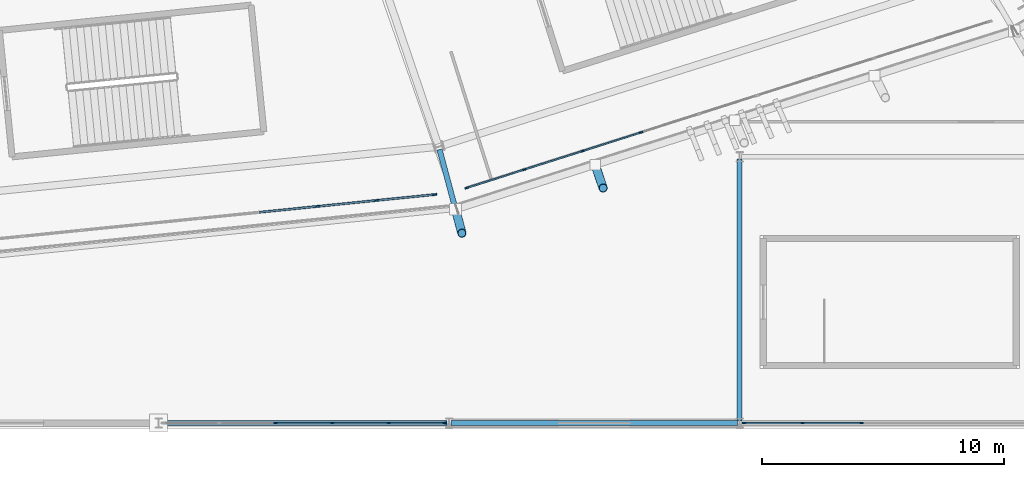
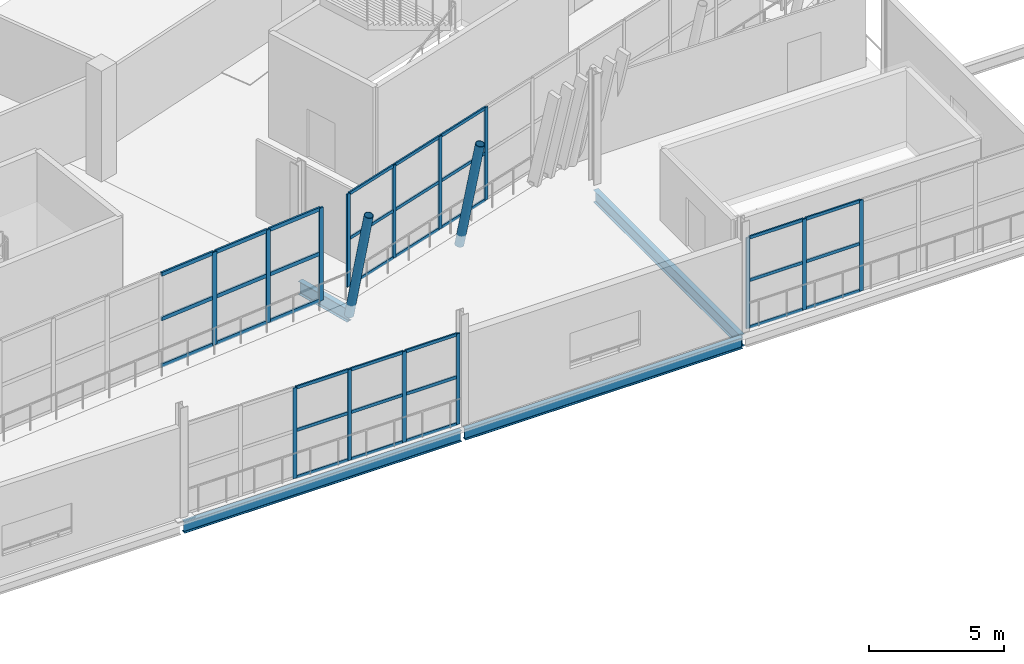
# One storey, part 49 of 179: 49 members, 4 beams, 4 elements without a shape of their own.
"""IFC4 building model written with IfcOpenShell, lengths in metres."""

from ifc_helpers import new_model, si_unit, direction, frame, origin, origin_2d, place, context, subcontext, project, spatial, rectangle, hollow_circle, i_section, extrude, material, material_profile, profile_set, type_object, element, aggregate, save


model = new_model("IFC4")

# Units and contexts
model_context = context("Model", 3, precision=1e-05, world=origin(), true_north=direction((0.0, 1.0)))
body_context = subcontext(model_context, "Body", "Model", "MODEL_VIEW")
ifc_project = project(units=[si_unit("LENGTHUNIT", "METRE"), si_unit("AREAUNIT", "SQUARE_METRE"), si_unit("VOLUMEUNIT", "CUBIC_METRE"), si_unit("PLANEANGLEUNIT", "RADIAN"), si_unit("MASSUNIT", "GRAM", prefix="KILO")], contexts=[model_context])

# Site, building, storey
site_placement = place(None, origin())
site = spatial("IfcSite", under=ifc_project, at=site_placement, CompositionType="ELEMENT")
building_placement = place(site_placement, origin())
building = spatial("IfcBuilding", under=site, at=building_placement, Name="Zlatoyarsky Gate Stadium", CompositionType="ELEMENT")
storey_placement = place(building_placement, frame((0.0, 0.0, 10.60009765625)))
storey = spatial("IfcBuildingStorey", under=building, at=storey_placement, Name="L02", CompositionType="ELEMENT", Elevation=10.60009765625)

# Curtain wall, members
ifc_material_1 = material(Name="Thermally broken anodised aluminium curtain wall", Category="aluminium")
curtain_wall_type_1 = type_object("IfcCurtainWallType", Name="MONUMENTAL ARCHED GATE GLAZING UPPER", PredefinedType="USERDEFINED", material=ifc_material_1)
curtain_wall_1_placement = place(storey_placement, origin())
curtain_wall_1 = element("IfcCurtainWall", 1, at=curtain_wall_1_placement, inside=storey, type_object=curtain_wall_type_1, Name="Curtain wall CW-L02-18", ObjectType="ARCHED GATE GLAZING", PredefinedType="USERDEFINED")
ifc_material_2 = material(Name="Anodised aluminium 6063-T6", Category="aluminium")
ifc_material_profile_1 = material_profile(ifc_material_2, rectangle(XDim=0.074951171875, YDim=0.18994140625, at=origin_2d()), Name="ALU 75X190")
ifc_profile_set_1 = profile_set([ifc_material_profile_1], Name="Anodised aluminium 6063-T6")
member_type_1 = type_object("IfcMemberType", Name="ALUMINIUM GATE MULLION 75X190", PredefinedType="MULLION", material=ifc_profile_set_1)
member_1_placement = place(storey_placement, frame((130.05810546875, 8.951904296875, 0.0), z_axis=(0.0, 0.0, 1.0), x_axis=(-0.100642363208, 0.994922667712, 0.0)))
member_1 = element("IfcMember", 2, at=member_1_placement, type_object=member_type_1, Name="CW-AG2 mullion 7", PredefinedType="MULLION", context=body_context, shape_type="SweptSolid", body=[
    extrude(rectangle(XDim=0.074951171875, YDim=0.18994140625, at=origin_2d()), origin(), (0.0, 0.0, 1.0), 4.199951171875),
])
member_2_placement = place(storey_placement, frame((132.49658203125, 9.19873046875, 0.0), z_axis=(0.0, 0.0, 1.0), x_axis=(-0.100642363208, 0.994922667712, 0.0)))
member_2 = element("IfcMember", 3, at=member_2_placement, type_object=member_type_1, Name="CW-AG2 mullion 8", PredefinedType="MULLION", context=body_context, shape_type="SweptSolid", body=[
    extrude(rectangle(XDim=0.074951171875, YDim=0.18994140625, at=origin_2d()), origin(), (0.0, 0.0, 1.0), 4.199951171875),
])
member_3_placement = place(storey_placement, frame((134.897705078125, 9.44140625, 0.0), z_axis=(0.0, 0.0, 1.0), x_axis=(-0.100642363208, 0.994922667712, 0.0)))
member_3 = element("IfcMember", 4, at=member_3_placement, type_object=member_type_1, Name="CW-AG2 mullion 9", PredefinedType="MULLION", context=body_context, shape_type="SweptSolid", body=[
    extrude(rectangle(XDim=0.074951171875, YDim=0.18994140625, at=origin_2d()), origin(), (0.0, 0.0, 1.0), 4.199951171875),
])
ifc_material_profile_2 = material_profile(ifc_material_2, rectangle(XDim=0.074951171875, YDim=0.169921875, at=origin_2d()), Name="ALU 75X170")
ifc_profile_set_2 = profile_set([ifc_material_profile_2], Name="Anodised aluminium 6063-T6")
member_type_2 = type_object("IfcMemberType", Name="ALUMINIUM GATE TRANSOM 75X170", PredefinedType="USERDEFINED", material=ifc_profile_set_2)
member_4_placement = place(storey_placement, frame((127.656982421875, 8.708984375, 0.037353515625), z_axis=(0.994916410424, 0.10070420184, 0.0), x_axis=(-0.10070420184, 0.994916410424, 0.0)))
member_4 = element("IfcMember", 5, at=member_4_placement, type_object=member_type_2, Name="CW-AG2 transom 6.1", ObjectType="TRANSOM", PredefinedType="USERDEFINED", context=body_context, shape_type="SweptSolid", body=[
    extrude(rectangle(XDim=0.074951171875, YDim=0.169921875, at=origin_2d()), origin(), (0.0, 0.0, 1.0), 2.375732421875),
])
member_5_placement = place(storey_placement, frame((127.656982421875, 8.708984375, 2.14990234375), z_axis=(0.994916410424, 0.10070420184, 0.0), x_axis=(-0.10070420184, 0.994916410424, 0.0)))
member_5 = element("IfcMember", 6, at=member_5_placement, type_object=member_type_2, Name="CW-AG2 transom 6.2", ObjectType="TRANSOM", PredefinedType="USERDEFINED", context=body_context, shape_type="SweptSolid", body=[
    extrude(rectangle(XDim=0.074951171875, YDim=0.169921875, at=origin_2d()), origin(), (0.0, 0.0, 1.0), 2.375732421875),
])
member_6_placement = place(storey_placement, frame((127.656982421875, 8.708984375, 4.162353515625), z_axis=(0.994916410424, 0.10070420184, 0.0), x_axis=(-0.10070420184, 0.994916410424, 0.0)))
member_6 = element("IfcMember", 7, at=member_6_placement, type_object=member_type_2, Name="CW-AG2 transom 6.3", ObjectType="TRANSOM", PredefinedType="USERDEFINED", context=body_context, shape_type="SweptSolid", body=[
    extrude(rectangle(XDim=0.074951171875, YDim=0.169921875, at=origin_2d()), origin(), (0.0, 0.0, 1.0), 2.375732421875),
])
member_7_placement = place(storey_placement, frame((130.09521484375, 8.955810546875, 0.037353515625), z_axis=(0.994927740892, 0.100592198527, 0.0), x_axis=(-0.100592198527, 0.994927740892, 0.0)))
member_7 = element("IfcMember", 8, at=member_7_placement, type_object=member_type_2, Name="CW-AG2 transom 7.1", ObjectType="TRANSOM", PredefinedType="USERDEFINED", context=body_context, shape_type="SweptSolid", body=[
    extrude(rectangle(XDim=0.074951171875, YDim=0.169921875, at=origin_2d()), origin(), (0.0, 0.0, 1.0), 2.3759765625),
])
member_8_placement = place(storey_placement, frame((130.09521484375, 8.955810546875, 2.14990234375), z_axis=(0.994927740892, 0.100592198527, 0.0), x_axis=(-0.100592198527, 0.994927740892, 0.0)))
member_8 = element("IfcMember", 9, at=member_8_placement, type_object=member_type_2, Name="CW-AG2 transom 7.2", ObjectType="TRANSOM", PredefinedType="USERDEFINED", context=body_context, shape_type="SweptSolid", body=[
    extrude(rectangle(XDim=0.074951171875, YDim=0.169921875, at=origin_2d()), origin(), (0.0, 0.0, 1.0), 2.3759765625),
])
member_9_placement = place(storey_placement, frame((130.09521484375, 8.955810546875, 4.162353515625), z_axis=(0.994927740892, 0.100592198527, 0.0), x_axis=(-0.100592198527, 0.994927740892, 0.0)))
member_9 = element("IfcMember", 10, at=member_9_placement, type_object=member_type_2, Name="CW-AG2 transom 7.3", ObjectType="TRANSOM", PredefinedType="USERDEFINED", context=body_context, shape_type="SweptSolid", body=[
    extrude(rectangle(XDim=0.074951171875, YDim=0.169921875, at=origin_2d()), origin(), (0.0, 0.0, 1.0), 2.3759765625),
])
member_10_placement = place(storey_placement, frame((132.53369140625, 9.202392578125, 0.037353515625), z_axis=(0.994922838656, 0.100640673291, 0.0), x_axis=(-0.100640673291, 0.994922838656, 0.0)))
member_10 = element("IfcMember", 11, at=member_10_placement, type_object=member_type_2, Name="CW-AG2 transom 8.1", ObjectType="TRANSOM", PredefinedType="USERDEFINED", context=body_context, shape_type="SweptSolid", body=[
    extrude(rectangle(XDim=0.074951171875, YDim=0.169921875, at=origin_2d()), origin(), (0.0, 0.0, 1.0), 2.338623046875),
])
member_11_placement = place(storey_placement, frame((132.53369140625, 9.202392578125, 2.14990234375), z_axis=(0.994922838656, 0.100640673291, 0.0), x_axis=(-0.100640673291, 0.994922838656, 0.0)))
member_11 = element("IfcMember", 12, at=member_11_placement, type_object=member_type_2, Name="CW-AG2 transom 8.2", ObjectType="TRANSOM", PredefinedType="USERDEFINED", context=body_context, shape_type="SweptSolid", body=[
    extrude(rectangle(XDim=0.074951171875, YDim=0.169921875, at=origin_2d()), origin(), (0.0, 0.0, 1.0), 2.338623046875),
])
member_12_placement = place(storey_placement, frame((132.53369140625, 9.202392578125, 4.162353515625), z_axis=(0.994922838656, 0.100640673291, 0.0), x_axis=(-0.100640673291, 0.994922838656, 0.0)))
member_12 = element("IfcMember", 13, at=member_12_placement, type_object=member_type_2, Name="CW-AG2 transom 8.3", ObjectType="TRANSOM", PredefinedType="USERDEFINED", context=body_context, shape_type="SweptSolid", body=[
    extrude(rectangle(XDim=0.074951171875, YDim=0.169921875, at=origin_2d()), origin(), (0.0, 0.0, 1.0), 2.338623046875),
])
aggregate(curtain_wall_1, [member_1, member_2, member_3, member_4, member_5, member_6, member_7, member_8, member_9, member_10, member_11, member_12])

curtain_wall_type_2 = type_object("IfcCurtainWallType", Name="UNITISED HOSPITALITY GLAZING L02", PredefinedType="USERDEFINED", material=ifc_material_1)
curtain_wall_2_placement = place(storey_placement, origin())
curtain_wall_2 = element("IfcCurtainWall", 14, at=curtain_wall_2_placement, inside=storey, type_object=curtain_wall_type_2, Name="Curtain wall CW-L02-19", ObjectType="UNITISED GLAZING", PredefinedType="USERDEFINED")
ifc_material_profile_3 = material_profile(ifc_material_2, rectangle(XDim=0.06494140625, YDim=0.159912109375, at=origin_2d()), Name="ALU 65X160")
ifc_profile_set_3 = profile_set([ifc_material_profile_3], Name="Anodised aluminium 6063-T6")
member_type_3 = type_object("IfcMemberType", Name="ALUMINIUM MULLION 65X160", PredefinedType="MULLION", material=ifc_profile_set_3)
member_13_placement = place(storey_placement, frame((136.23193359375, 9.7177734375, 0.0), z_axis=(0.0, 0.0, 1.0), x_axis=(-0.303278080998, 0.952902096538, 0.0)))
member_13 = element("IfcMember", 15, at=member_13_placement, type_object=member_type_3, Name="CW-UG2 mullion 1", PredefinedType="MULLION", context=body_context, shape_type="SweptSolid", body=[
    extrude(rectangle(XDim=0.06494140625, YDim=0.159912109375, at=origin_2d()), origin(), (0.0, 0.0, 1.0), 4.199951171875),
])
member_14_placement = place(storey_placement, frame((138.6083984375, 10.47412109375, 0.0), z_axis=(0.0, 0.0, 1.0), x_axis=(-0.303278080998, 0.952902096538, 0.0)))
member_14 = element("IfcMember", 16, at=member_14_placement, type_object=member_type_3, Name="CW-UG2 mullion 2", PredefinedType="MULLION", context=body_context, shape_type="SweptSolid", body=[
    extrude(rectangle(XDim=0.06494140625, YDim=0.159912109375, at=origin_2d()), origin(), (0.0, 0.0, 1.0), 4.199951171875),
])
member_15_placement = place(storey_placement, frame((141.01611328125, 11.240234375, 0.0), z_axis=(0.0, 0.0, 1.0), x_axis=(-0.303278080998, 0.952902096538, 0.0)))
member_15 = element("IfcMember", 17, at=member_15_placement, type_object=member_type_3, Name="CW-UG2 mullion 3", PredefinedType="MULLION", context=body_context, shape_type="SweptSolid", body=[
    extrude(rectangle(XDim=0.06494140625, YDim=0.159912109375, at=origin_2d()), origin(), (0.0, 0.0, 1.0), 4.199951171875),
])
member_16_placement = place(storey_placement, frame((143.423583984375, 12.006591796875, 0.0), z_axis=(0.0, 0.0, 1.0), x_axis=(-0.303278080998, 0.952902096538, 0.0)))
member_16 = element("IfcMember", 18, at=member_16_placement, type_object=member_type_3, Name="CW-UG2 mullion 4", PredefinedType="MULLION", context=body_context, shape_type="SweptSolid", body=[
    extrude(rectangle(XDim=0.06494140625, YDim=0.159912109375, at=origin_2d()), origin(), (0.0, 0.0, 1.0), 4.199951171875),
])

curtain_wall_type_3 = type_object("IfcCurtainWallType", Name="WINTER GARDEN CONSERVATORY GLAZING", PredefinedType="USERDEFINED", material=ifc_material_1)
curtain_wall_3_placement = place(storey_placement, origin())
curtain_wall_3 = element("IfcCurtainWall", 19, at=curtain_wall_3_placement, inside=storey, type_object=curtain_wall_type_3, Name="Curtain wall CW-V3_SOUTH-L02-163", ObjectType="UNITISED GLAZING", PredefinedType="USERDEFINED")
member_17_placement = place(storey_placement, frame((128.33251953125, 0.0, 0.0), z_axis=(0.0, 0.0, 1.0), x_axis=(0.0, 1.0, 0.0)))
member_17 = element("IfcMember", 20, at=member_17_placement, type_object=member_type_3, Name="CW-WG1 mullion 3", PredefinedType="MULLION", context=body_context, shape_type="SweptSolid", body=[
    extrude(rectangle(XDim=0.06494140625, YDim=0.159912109375, at=origin_2d()), origin(), (0.0, 0.0, 1.0), 4.099853515625),
])
member_18_placement = place(storey_placement, frame((130.66748046875, 0.0, 0.0), z_axis=(0.0, 0.0, 1.0), x_axis=(0.0, 1.0, 0.0)))
member_18 = element("IfcMember", 21, at=member_18_placement, type_object=member_type_3, Name="CW-WG1 mullion 4", PredefinedType="MULLION", context=body_context, shape_type="SweptSolid", body=[
    extrude(rectangle(XDim=0.06494140625, YDim=0.159912109375, at=origin_2d()), origin(), (0.0, 0.0, 1.0), 4.099853515625),
])
member_19_placement = place(storey_placement, frame((133.002685546875, 0.0, 0.0), z_axis=(0.0, 0.0, 1.0), x_axis=(0.0, 1.0, 0.0)))
member_19 = element("IfcMember", 22, at=member_19_placement, type_object=member_type_3, Name="CW-WG1 mullion 5", PredefinedType="MULLION", context=body_context, shape_type="SweptSolid", body=[
    extrude(rectangle(XDim=0.06494140625, YDim=0.159912109375, at=origin_2d()), origin(), (0.0, 0.0, 1.0), 4.099853515625),
])
member_20_placement = place(storey_placement, frame((135.305419921875, 0.0, 0.0), z_axis=(0.0, 0.0, 1.0), x_axis=(0.0, 1.0, 0.0)))
member_20 = element("IfcMember", 23, at=member_20_placement, type_object=member_type_3, Name="CW-WG1 mullion 6", PredefinedType="MULLION", context=body_context, shape_type="SweptSolid", body=[
    extrude(rectangle(XDim=0.06494140625, YDim=0.159912109375, at=origin_2d()), origin(), (0.0, 0.0, 1.0), 4.099853515625),
])

curtain_wall_4_placement = place(storey_placement, origin())
curtain_wall_4 = element("IfcCurtainWall", 24, at=curtain_wall_4_placement, inside=storey, type_object=curtain_wall_type_3, Name="Curtain wall CW-V3_SOUTH-L02-164", ObjectType="UNITISED GLAZING", PredefinedType="USERDEFINED")
member_21_placement = place(storey_placement, frame((147.694580078125, 0.0, 0.0), z_axis=(0.0, 0.0, 1.0), x_axis=(0.0, 1.0, 0.0)))
member_21 = element("IfcMember", 25, at=member_21_placement, type_object=member_type_3, Name="CW-WG1 mullion 1", PredefinedType="MULLION", context=body_context, shape_type="SweptSolid", body=[
    extrude(rectangle(XDim=0.06494140625, YDim=0.159912109375, at=origin_2d()), origin(), (0.0, 0.0, 1.0), 4.099853515625),
])
member_22_placement = place(storey_placement, frame((150.09716796875, 0.0, 0.0), z_axis=(0.0, 0.0, 1.0), x_axis=(0.0, 1.0, 0.0)))
member_22 = element("IfcMember", 26, at=member_22_placement, type_object=member_type_3, Name="CW-WG1 mullion 2", PredefinedType="MULLION", context=body_context, shape_type="SweptSolid", body=[
    extrude(rectangle(XDim=0.06494140625, YDim=0.159912109375, at=origin_2d()), origin(), (0.0, 0.0, 1.0), 4.099853515625),
])
member_23_placement = place(storey_placement, frame((152.532470703125, 0.0, 0.0), z_axis=(0.0, 0.0, 1.0), x_axis=(0.0, 1.0, 0.0)))
member_23 = element("IfcMember", 27, at=member_23_placement, type_object=member_type_3, Name="CW-WG1 mullion 3", PredefinedType="MULLION", context=body_context, shape_type="SweptSolid", body=[
    extrude(rectangle(XDim=0.06494140625, YDim=0.159912109375, at=origin_2d()), origin(), (0.0, 0.0, 1.0), 4.099853515625),
])

# Member
ifc_material_profile_4 = material_profile(ifc_material_2, rectangle(XDim=0.06494140625, YDim=0.139892578125, at=origin_2d()), Name="ALU 65X140")
ifc_profile_set_4 = profile_set([ifc_material_profile_4], Name="Anodised aluminium 6063-T6")
member_type_4 = type_object("IfcMemberType", Name="ALUMINIUM TRANSOM 65X140", PredefinedType="USERDEFINED", material=ifc_profile_set_4)
member_24_placement = place(storey_placement, frame((136.262939453125, 9.7275390625, 0.032470703125), z_axis=(0.952916539621, 0.303232696977, 0.0), x_axis=(-0.303232696977, 0.952916539621, 0.0)))
member_24 = element("IfcMember", 28, at=member_24_placement, type_object=member_type_4, Name="CW-UG2 transom 1.1", ObjectType="TRANSOM", PredefinedType="USERDEFINED", context=body_context, shape_type="SweptSolid", body=[
    extrude(rectangle(XDim=0.06494140625, YDim=0.139892578125, at=origin_2d()), origin(), (0.0, 0.0, 1.0), 2.428955078125),
])

member_25_placement = place(storey_placement, frame((136.262939453125, 9.7275390625, 2.14990234375), z_axis=(0.952916539621, 0.303232696977, 0.0), x_axis=(-0.303232696977, 0.952916539621, 0.0)))
member_25 = element("IfcMember", 29, at=member_25_placement, type_object=member_type_4, Name="CW-UG2 transom 1.2", ObjectType="TRANSOM", PredefinedType="USERDEFINED", context=body_context, shape_type="SweptSolid", body=[
    extrude(rectangle(XDim=0.06494140625, YDim=0.139892578125, at=origin_2d()), origin(), (0.0, 0.0, 1.0), 2.428955078125),
])

member_26_placement = place(storey_placement, frame((136.262939453125, 9.7275390625, 4.16748046875), z_axis=(0.952916539621, 0.303232696977, 0.0), x_axis=(-0.303232696977, 0.952916539621, 0.0)))
member_26 = element("IfcMember", 30, at=member_26_placement, type_object=member_type_4, Name="CW-UG2 transom 1.3", ObjectType="TRANSOM", PredefinedType="USERDEFINED", context=body_context, shape_type="SweptSolid", body=[
    extrude(rectangle(XDim=0.06494140625, YDim=0.139892578125, at=origin_2d()), origin(), (0.0, 0.0, 1.0), 2.428955078125),
])

member_27_placement = place(storey_placement, frame((138.639404296875, 10.48388671875, 0.032470703125), z_axis=(0.952899726058, 0.303285528964, 0.0), x_axis=(-0.303285528964, 0.952899726058, 0.0)))
member_27 = element("IfcMember", 31, at=member_27_placement, type_object=member_type_4, Name="CW-UG2 transom 2.1", ObjectType="TRANSOM", PredefinedType="USERDEFINED", context=body_context, shape_type="SweptSolid", body=[
    extrude(rectangle(XDim=0.06494140625, YDim=0.139892578125, at=origin_2d()), origin(), (0.0, 0.0, 1.0), 2.461669921875),
])

member_28_placement = place(storey_placement, frame((138.639404296875, 10.48388671875, 2.14990234375), z_axis=(0.952899726058, 0.303285528964, 0.0), x_axis=(-0.303285528964, 0.952899726058, 0.0)))
member_28 = element("IfcMember", 32, at=member_28_placement, type_object=member_type_4, Name="CW-UG2 transom 2.2", ObjectType="TRANSOM", PredefinedType="USERDEFINED", context=body_context, shape_type="SweptSolid", body=[
    extrude(rectangle(XDim=0.06494140625, YDim=0.139892578125, at=origin_2d()), origin(), (0.0, 0.0, 1.0), 2.461669921875),
])

member_29_placement = place(storey_placement, frame((138.639404296875, 10.48388671875, 4.16748046875), z_axis=(0.952899726058, 0.303285528964, 0.0), x_axis=(-0.303285528964, 0.952899726058, 0.0)))
member_29 = element("IfcMember", 33, at=member_29_placement, type_object=member_type_4, Name="CW-UG2 transom 2.3", ObjectType="TRANSOM", PredefinedType="USERDEFINED", context=body_context, shape_type="SweptSolid", body=[
    extrude(rectangle(XDim=0.06494140625, YDim=0.139892578125, at=origin_2d()), origin(), (0.0, 0.0, 1.0), 2.461669921875),
])

member_30_placement = place(storey_placement, frame((141.046875, 11.250244140625, 0.032470703125), z_axis=(0.9529283851, 0.303195469739, 0.0), x_axis=(-0.303195469739, 0.9529283851, 0.0)))
member_30 = element("IfcMember", 34, at=member_30_placement, type_object=member_type_4, Name="CW-UG2 transom 3.1", ObjectType="TRANSOM", PredefinedType="USERDEFINED", context=body_context, shape_type="SweptSolid", body=[
    extrude(rectangle(XDim=0.06494140625, YDim=0.139892578125, at=origin_2d()), origin(), (0.0, 0.0, 1.0), 2.461669921875),
])

member_31_placement = place(storey_placement, frame((141.046875, 11.250244140625, 2.14990234375), z_axis=(0.9529283851, 0.303195469739, 0.0), x_axis=(-0.303195469739, 0.9529283851, 0.0)))
member_31 = element("IfcMember", 35, at=member_31_placement, type_object=member_type_4, Name="CW-UG2 transom 3.2", ObjectType="TRANSOM", PredefinedType="USERDEFINED", context=body_context, shape_type="SweptSolid", body=[
    extrude(rectangle(XDim=0.06494140625, YDim=0.139892578125, at=origin_2d()), origin(), (0.0, 0.0, 1.0), 2.461669921875),
])

member_32_placement = place(storey_placement, frame((141.046875, 11.250244140625, 4.16748046875), z_axis=(0.9529283851, 0.303195469739, 0.0), x_axis=(-0.303195469739, 0.9529283851, 0.0)))
member_32 = element("IfcMember", 36, at=member_32_placement, type_object=member_type_4, Name="CW-UG2 transom 3.3", ObjectType="TRANSOM", PredefinedType="USERDEFINED", context=body_context, shape_type="SweptSolid", body=[
    extrude(rectangle(XDim=0.06494140625, YDim=0.139892578125, at=origin_2d()), origin(), (0.0, 0.0, 1.0), 2.461669921875),
])

aggregate(curtain_wall_2, [member_13, member_14, member_15, member_16, member_24, member_25, member_26, member_27, member_28, member_29, member_30, member_31, member_32])

member_33_placement = place(storey_placement, frame((128.364990234375, 0.0, 0.032470703125), z_axis=(1.0, 0.0, 0.0), x_axis=(0.0, 1.0, 0.0)))
member_33 = element("IfcMember", 37, at=member_33_placement, type_object=member_type_4, Name="CW-WG1 transom 3.1", ObjectType="TRANSOM", PredefinedType="USERDEFINED", context=body_context, shape_type="SweptSolid", body=[
    extrude(rectangle(XDim=0.06494140625, YDim=0.139892578125, at=origin_2d()), origin(), (0.0, 0.0, 1.0), 2.27001953125),
])

member_34_placement = place(storey_placement, frame((128.364990234375, 0.0, 2.14990234375), z_axis=(1.0, 0.0, 0.0), x_axis=(0.0, 1.0, 0.0)))
member_34 = element("IfcMember", 38, at=member_34_placement, type_object=member_type_4, Name="CW-WG1 transom 3.2", ObjectType="TRANSOM", PredefinedType="USERDEFINED", context=body_context, shape_type="SweptSolid", body=[
    extrude(rectangle(XDim=0.06494140625, YDim=0.139892578125, at=origin_2d()), origin(), (0.0, 0.0, 1.0), 2.27001953125),
])

member_35_placement = place(storey_placement, frame((128.364990234375, 0.0, 4.0673828125), z_axis=(1.0, 0.0, 0.0), x_axis=(0.0, 1.0, 0.0)))
member_35 = element("IfcMember", 39, at=member_35_placement, type_object=member_type_4, Name="CW-WG1 transom 3.3", ObjectType="TRANSOM", PredefinedType="USERDEFINED", context=body_context, shape_type="SweptSolid", body=[
    extrude(rectangle(XDim=0.06494140625, YDim=0.139892578125, at=origin_2d()), origin(), (0.0, 0.0, 1.0), 2.27001953125),
])

member_36_placement = place(storey_placement, frame((130.7001953125, 0.0, 0.032470703125), z_axis=(1.0, 0.0, 0.0), x_axis=(0.0, 1.0, 0.0)))
member_36 = element("IfcMember", 40, at=member_36_placement, type_object=member_type_4, Name="CW-WG1 transom 4.1", ObjectType="TRANSOM", PredefinedType="USERDEFINED", context=body_context, shape_type="SweptSolid", body=[
    extrude(rectangle(XDim=0.06494140625, YDim=0.139892578125, at=origin_2d()), origin(), (0.0, 0.0, 1.0), 2.27001953125),
])

member_37_placement = place(storey_placement, frame((130.7001953125, 0.0, 2.14990234375), z_axis=(1.0, 0.0, 0.0), x_axis=(0.0, 1.0, 0.0)))
member_37 = element("IfcMember", 41, at=member_37_placement, type_object=member_type_4, Name="CW-WG1 transom 4.2", ObjectType="TRANSOM", PredefinedType="USERDEFINED", context=body_context, shape_type="SweptSolid", body=[
    extrude(rectangle(XDim=0.06494140625, YDim=0.139892578125, at=origin_2d()), origin(), (0.0, 0.0, 1.0), 2.27001953125),
])

member_38_placement = place(storey_placement, frame((130.7001953125, 0.0, 4.0673828125), z_axis=(1.0, 0.0, 0.0), x_axis=(0.0, 1.0, 0.0)))
member_38 = element("IfcMember", 42, at=member_38_placement, type_object=member_type_4, Name="CW-WG1 transom 4.3", ObjectType="TRANSOM", PredefinedType="USERDEFINED", context=body_context, shape_type="SweptSolid", body=[
    extrude(rectangle(XDim=0.06494140625, YDim=0.139892578125, at=origin_2d()), origin(), (0.0, 0.0, 1.0), 2.27001953125),
])

member_39_placement = place(storey_placement, frame((133.035400390625, 0.0, 0.032470703125), z_axis=(1.0, 0.0, 0.0), x_axis=(0.0, 1.0, 0.0)))
member_39 = element("IfcMember", 43, at=member_39_placement, type_object=member_type_4, Name="CW-WG1 transom 5.1", ObjectType="TRANSOM", PredefinedType="USERDEFINED", context=body_context, shape_type="SweptSolid", body=[
    extrude(rectangle(XDim=0.06494140625, YDim=0.139892578125, at=origin_2d()), origin(), (0.0, 0.0, 1.0), 2.237548828125),
])

member_40_placement = place(storey_placement, frame((133.035400390625, 0.0, 2.14990234375), z_axis=(1.0, 0.0, 0.0), x_axis=(0.0, 1.0, 0.0)))
member_40 = element("IfcMember", 44, at=member_40_placement, type_object=member_type_4, Name="CW-WG1 transom 5.2", ObjectType="TRANSOM", PredefinedType="USERDEFINED", context=body_context, shape_type="SweptSolid", body=[
    extrude(rectangle(XDim=0.06494140625, YDim=0.139892578125, at=origin_2d()), origin(), (0.0, 0.0, 1.0), 2.237548828125),
])

member_41_placement = place(storey_placement, frame((133.035400390625, 0.0, 4.0673828125), z_axis=(1.0, 0.0, 0.0), x_axis=(0.0, 1.0, 0.0)))
member_41 = element("IfcMember", 45, at=member_41_placement, type_object=member_type_4, Name="CW-WG1 transom 5.3", ObjectType="TRANSOM", PredefinedType="USERDEFINED", context=body_context, shape_type="SweptSolid", body=[
    extrude(rectangle(XDim=0.06494140625, YDim=0.139892578125, at=origin_2d()), origin(), (0.0, 0.0, 1.0), 2.237548828125),
])

aggregate(curtain_wall_3, [member_17, member_18, member_19, member_20, member_33, member_34, member_35, member_36, member_37, member_38, member_39, member_40, member_41])

member_42_placement = place(storey_placement, frame((147.72705078125, 0.0, 0.032470703125), z_axis=(1.0, 0.0, 0.0), x_axis=(0.0, 1.0, 0.0)))
member_42 = element("IfcMember", 46, at=member_42_placement, type_object=member_type_4, Name="CW-WG1 transom 1.1", ObjectType="TRANSOM", PredefinedType="USERDEFINED", context=body_context, shape_type="SweptSolid", body=[
    extrude(rectangle(XDim=0.06494140625, YDim=0.139892578125, at=origin_2d()), origin(), (0.0, 0.0, 1.0), 2.337646484375),
])

member_43_placement = place(storey_placement, frame((147.72705078125, 0.0, 2.14990234375), z_axis=(1.0, 0.0, 0.0), x_axis=(0.0, 1.0, 0.0)))
member_43 = element("IfcMember", 47, at=member_43_placement, type_object=member_type_4, Name="CW-WG1 transom 1.2", ObjectType="TRANSOM", PredefinedType="USERDEFINED", context=body_context, shape_type="SweptSolid", body=[
    extrude(rectangle(XDim=0.06494140625, YDim=0.139892578125, at=origin_2d()), origin(), (0.0, 0.0, 1.0), 2.337646484375),
])

member_44_placement = place(storey_placement, frame((147.72705078125, 0.0, 4.0673828125), z_axis=(1.0, 0.0, 0.0), x_axis=(0.0, 1.0, 0.0)))
member_44 = element("IfcMember", 48, at=member_44_placement, type_object=member_type_4, Name="CW-WG1 transom 1.3", ObjectType="TRANSOM", PredefinedType="USERDEFINED", context=body_context, shape_type="SweptSolid", body=[
    extrude(rectangle(XDim=0.06494140625, YDim=0.139892578125, at=origin_2d()), origin(), (0.0, 0.0, 1.0), 2.337646484375),
])

member_45_placement = place(storey_placement, frame((150.129638671875, 0.0, 0.032470703125), z_axis=(1.0, 0.0, 0.0), x_axis=(0.0, 1.0, 0.0)))
member_45 = element("IfcMember", 49, at=member_45_placement, type_object=member_type_4, Name="CW-WG1 transom 2.1", ObjectType="TRANSOM", PredefinedType="USERDEFINED", context=body_context, shape_type="SweptSolid", body=[
    extrude(rectangle(XDim=0.06494140625, YDim=0.139892578125, at=origin_2d()), origin(), (0.0, 0.0, 1.0), 2.370361328125),
])

member_46_placement = place(storey_placement, frame((150.129638671875, 0.0, 2.14990234375), z_axis=(1.0, 0.0, 0.0), x_axis=(0.0, 1.0, 0.0)))
member_46 = element("IfcMember", 50, at=member_46_placement, type_object=member_type_4, Name="CW-WG1 transom 2.2", ObjectType="TRANSOM", PredefinedType="USERDEFINED", context=body_context, shape_type="SweptSolid", body=[
    extrude(rectangle(XDim=0.06494140625, YDim=0.139892578125, at=origin_2d()), origin(), (0.0, 0.0, 1.0), 2.370361328125),
])

member_47_placement = place(storey_placement, frame((150.129638671875, 0.0, 4.0673828125), z_axis=(1.0, 0.0, 0.0), x_axis=(0.0, 1.0, 0.0)))
member_47 = element("IfcMember", 51, at=member_47_placement, type_object=member_type_4, Name="CW-WG1 transom 2.3", ObjectType="TRANSOM", PredefinedType="USERDEFINED", context=body_context, shape_type="SweptSolid", body=[
    extrude(rectangle(XDim=0.06494140625, YDim=0.139892578125, at=origin_2d()), origin(), (0.0, 0.0, 1.0), 2.370361328125),
])

aggregate(curtain_wall_4, [member_21, member_22, member_23, member_42, member_43, member_44, member_45, member_46, member_47])

# Beams
ifc_material_3 = material(Name="Steel S355", Category="steel")
ifc_material_profile_5 = material_profile(ifc_material_3, i_section(OverallWidth=0.219970703125, OverallDepth=0.60009765625, WebThickness=0.011962890625, FlangeThickness=0.01904296875, FilletRadius=0.02392578125, at=origin_2d()), Name="IPE 600")
ifc_profile_set_5 = profile_set([ifc_material_profile_5], Name="Steel S355")
beam_type_1 = type_object("IfcBeamType", Name="STEEL CANTILEVER FLOOR BEAM IPE 600", PredefinedType="BEAM", material=ifc_profile_set_5)
beam_1_placement = place(storey_placement, frame((135.101318359375, 11.303466796875, -0.580078125), z_axis=(0.258750408198, -0.965944214879, 0.0), x_axis=(0.965944214879, 0.258750408198, 0.0)))
element("IfcBeam", 52, at=beam_1_placement, inside=storey, type_object=beam_type_1, Name="Beam B-IPE600 BM-L02-OUT-19", PredefinedType="BEAM", context=body_context, shape_type="SweptSolid", body=[
    extrude(i_section(OverallWidth=0.219970703125, OverallDepth=0.60009765625, WebThickness=0.011962890625, FlangeThickness=0.01904296875, FilletRadius=0.02392578125, at=origin_2d()), origin(), (0.0, 0.0, 1.0), 2.55615234375),
])
ifc_material_profile_6 = material_profile(ifc_material_3, i_section(OverallWidth=0.199951171875, OverallDepth=0.5, WebThickness=0.01025390625, FlangeThickness=0.01611328125, FilletRadius=0.02099609375, at=origin_2d()), Name="IPE 500")
ifc_profile_set_6 = profile_set([ifc_material_profile_6], Name="Steel S355")
beam_type_2 = type_object("IfcBeamType", Name="STEEL FLOOR BEAM IPE 500", PredefinedType="BEAM", material=ifc_profile_set_6)
for number, where, z_axis, x_axis, name in (
    (53, (123.580078125, 0.0, -0.530029296875), (1.0, 0.0, 0.0), (0.0, 1.0, 0.0), "Beam B-IPE500 BM-L02-WGX-11-A"),
    (54, (135.580078125, 0.0, -0.530029296875), (1.0, 0.0, 0.0), (0.0, 1.0, 0.0), "Beam B-IPE500 BM-L02-WGX-12-A"),
):
    element("IfcBeam", number, at=place(storey_placement, frame(where, z_axis=z_axis, x_axis=x_axis)), inside=storey, type_object=beam_type_2, Name=name, PredefinedType="BEAM", context=body_context, shape_type="SweptSolid", body=[
        extrude(i_section(OverallWidth=0.199951171875, OverallDepth=0.5, WebThickness=0.01025390625, FlangeThickness=0.01611328125, FilletRadius=0.02099609375, at=origin_2d()), origin(), (0.0, 0.0, 1.0), 11.83984375),
    ])
ifc_material_profile_7 = material_profile(ifc_material_3, i_section(OverallWidth=0.2099609375, OverallDepth=0.550048828125, WebThickness=0.010986328125, FlangeThickness=0.01708984375, FilletRadius=0.02392578125, at=origin_2d()), Name="IPE 550")
ifc_profile_set_7 = profile_set([ifc_material_profile_7], Name="Steel S355")
beam_type_3 = type_object("IfcBeamType", Name="STEEL FLOOR BEAM IPE 550", PredefinedType="BEAM", material=ifc_profile_set_7)
beam_2_placement = place(storey_placement, frame((147.5, 0.080078125, -0.55517578125), z_axis=(0.0, 1.0, 0.0), x_axis=(-1.0, 0.0, 0.0)))
element("IfcBeam", 55, at=beam_2_placement, inside=storey, type_object=beam_type_3, Name="Beam B-IPE550 BM-L02-WGY-13-A", PredefinedType="BEAM", context=body_context, shape_type="SweptSolid", body=[
    extrude(i_section(OverallWidth=0.2099609375, OverallDepth=0.550048828125, WebThickness=0.010986328125, FlangeThickness=0.01708984375, FilletRadius=0.02392578125, at=origin_2d()), origin(), (0.0, 0.0, 1.0), 10.83984375),
])

# Members
ifc_material_profile_8 = material_profile(ifc_material_3, hollow_circle(Radius=0.177734375, WallThickness=0.02001953125, at=origin_2d()), Name="CHS 355.6X20")
ifc_profile_set_8 = profile_set([ifc_material_profile_8], Name="Steel S355")
member_type_5 = type_object("IfcMemberType", Name="STEEL LEANING RIB RING STRUT CHS 355.6X20", PredefinedType="STRUT", material=ifc_profile_set_8)
member_48_placement = place(storey_placement, frame((135.7626953125, 8.83447265625, -0.580078125), z_axis=(0.052040278596, -0.194194421968, 0.979581714754), x_axis=(0.96591831511, 0.258847075576, 0.0)))
element("IfcMember", 56, at=member_48_placement, inside=storey, type_object=member_type_5, Name="Leaning ring strut 19 L02 to L03", PredefinedType="STRUT", context=body_context, shape_type="SweptSolid", body=[
    extrude(hollow_circle(Radius=0.177734375, WallThickness=0.02001953125, at=origin_2d()), origin(), (0.0, 0.0, 1.0), 5.104248046875),
])
member_49_placement = place(storey_placement, frame((141.531494140625, 10.674560546875, -0.530029296875), z_axis=(0.064205867771, -0.189220720591, 0.979833213074), x_axis=(0.946969593559, 0.321323184464, 0.0)))
element("IfcMember", 57, at=member_49_placement, inside=storey, type_object=member_type_5, Name="Outward-leaning bowl louvre fin rib L02 19-1", PredefinedType="STRUT", context=body_context, shape_type="SweptSolid", body=[
    extrude(hollow_circle(Radius=0.177734375, WallThickness=0.02001953125, at=origin_2d()), origin(), (0.0, 0.0, 1.0), 5.10302734375),
])

save(model, "model.ifc")
